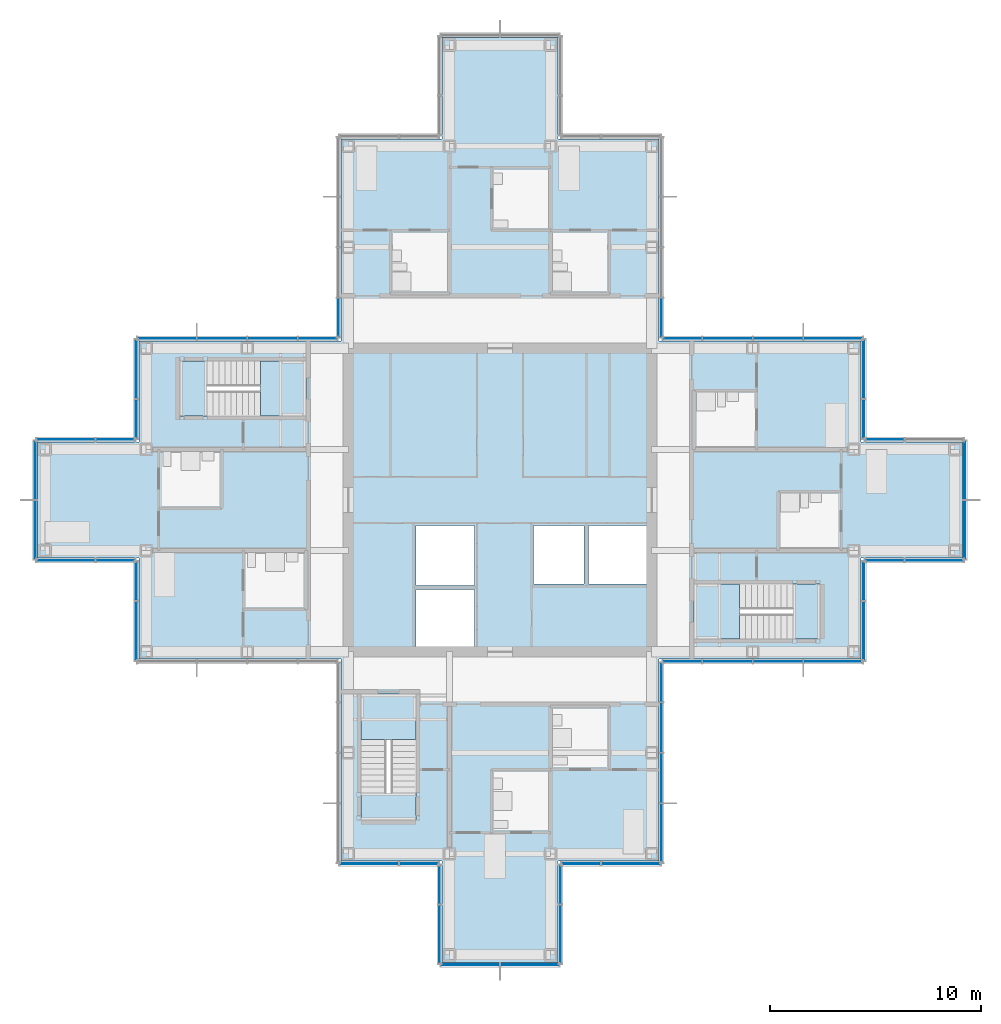
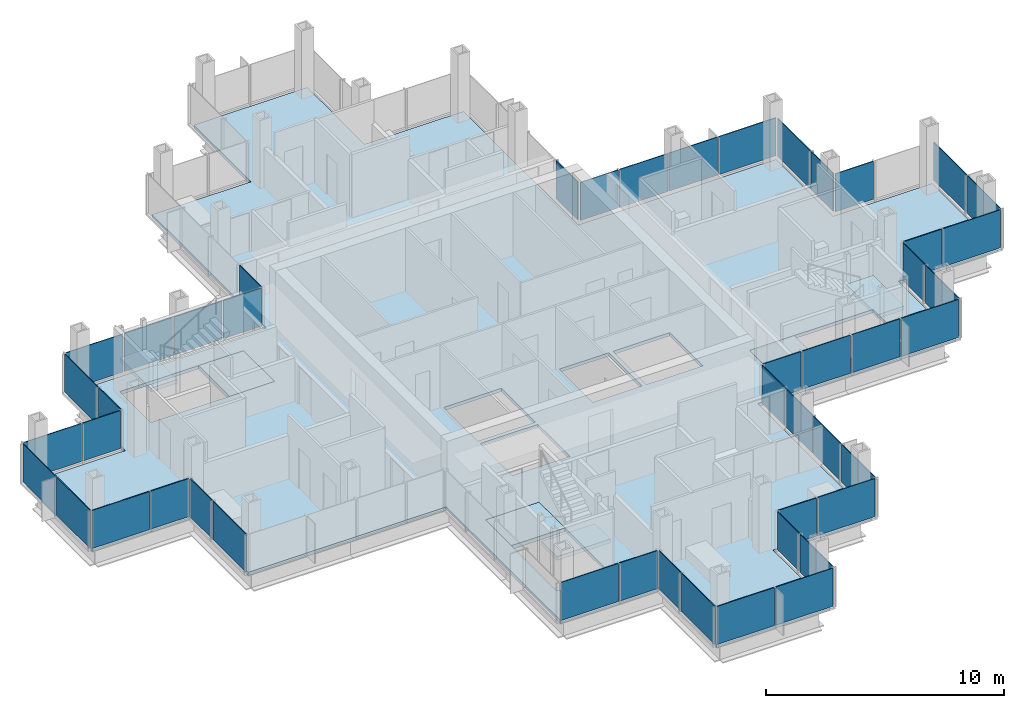
# One storey, part 10 of 17: 47 plates, 7 slabs, 24 elements without a shape of their own.
"""IFC4 building model written with IfcOpenShell, lengths in metres."""

from ifc_helpers import new_model, si_unit, direction, frame, origin, origin_2d, place, context, subcontext, project, spatial, polyline, rectangle, outline, extrude, material, layer, layer_set, type_object, element, aggregate, save


model = new_model("IFC4")

# Units and contexts
model_context = context("Model", 3, precision=1e-05, world=origin(), true_north=direction((0.0, 1.0)))
body_context = subcontext(model_context, "Body", "Model", "MODEL_VIEW")
ifc_project = project(units=[si_unit("LENGTHUNIT", "METRE"), si_unit("AREAUNIT", "SQUARE_METRE"), si_unit("VOLUMEUNIT", "CUBIC_METRE"), si_unit("PLANEANGLEUNIT", "RADIAN"), si_unit("MASSUNIT", "GRAM", prefix="KILO")], contexts=[model_context])

# Site, building, storey
site_placement = place(None, origin())
site = spatial("IfcSite", under=ifc_project, at=site_placement, CompositionType="ELEMENT")
building_placement = place(site_placement, origin())
building = spatial("IfcBuilding", under=site, at=building_placement, Name="Kvirike Care Tower", CompositionType="ELEMENT")
storey_placement = place(building_placement, frame((0.0, 0.0, 186.5)))
storey = spatial("IfcBuildingStorey", under=building, at=storey_placement, Name="L51", CompositionType="ELEMENT", Elevation=186.5)

# Slab
ifc_material_1 = material(Name="Concrete C35/45", Category="concrete")
ifc_layer_1 = layer(ifc_material_1, 0.169921875)
ifc_layer_set_1 = layer_set([ifc_layer_1], Name="FLOOR SLAB 170")
slab_type_1 = type_object("IfcSlabType", Name="FLOOR SLAB 170", PredefinedType="FLOOR", material=ifc_layer_set_1)
slab_1_placement = place(storey_placement, frame((0.0, 0.0, -0.169921875)))
element("IfcSlab", 1, at=slab_1_placement, inside=storey, type_object=slab_type_1, Name="Floor slab L51", PredefinedType="FLOOR", context=body_context, shape_type="SweptSolid", body=[
    extrude(outline(polyline([(29.14990234375, 28.449951171875), (38.75, 28.449951171875), (38.75, 33.25), (43.550048828125, 33.25), (43.550048828125, 38.75), (38.75, 38.75), (38.75, 43.550048828125), (29.14990234375, 43.550048828125), (29.14990234375, 53.14990234375), (24.35009765625, 53.14990234375), (24.35009765625, 57.949951171875), (18.85009765625, 57.949951171875), (18.85009765625, 53.14990234375), (14.050048828125, 53.14990234375), (14.050048828125, 43.550048828125), (4.449951171875, 43.550048828125), (4.449951171875, 38.75), (-0.35009765625, 38.75), (-0.35009765625, 33.25), (4.449951171875, 33.25), (4.449951171875, 28.449951171875), (14.050048828125, 28.449951171875), (14.050048828125, 18.85009765625), (18.85009765625, 18.85009765625), (18.85009765625, 14.050048828125), (24.35009765625, 14.050048828125), (24.35009765625, 18.85009765625), (29.14990234375, 18.85009765625), (29.14990234375, 28.449951171875)]), holes=[polyline([(17.60009765625, 29.050048828125), (17.60009765625, 31.75), (20.39990234375, 31.75), (20.39990234375, 29.050048828125), (17.60009765625, 29.050048828125)]), polyline([(17.60009765625, 31.949951171875), (17.60009765625, 34.800048828125), (20.39990234375, 34.800048828125), (20.39990234375, 31.949951171875), (17.60009765625, 31.949951171875)]), polyline([(23.199951171875, 32.0), (23.199951171875, 34.800048828125), (25.60009765625, 34.800048828125), (25.60009765625, 32.0), (23.199951171875, 32.0)]), polyline([(25.800048828125, 32.0), (25.800048828125, 34.800048828125), (28.550048828125, 34.800048828125), (28.550048828125, 32.0), (25.800048828125, 32.0)]), polyline([(12.39990234375, 42.60009765625), (12.39990234375, 40.0), (6.39990234375, 40.0), (6.39990234375, 42.60009765625), (12.39990234375, 42.60009765625)]), polyline([(30.800048828125, 29.39990234375), (30.800048828125, 32.0), (36.800048828125, 32.0), (36.800048828125, 29.39990234375), (30.800048828125, 29.39990234375)]), polyline([(15.0, 26.800048828125), (17.60009765625, 26.800048828125), (17.60009765625, 20.800048828125), (15.0, 20.800048828125), (15.0, 26.800048828125)])]), origin(), (0.0, 0.0, 1.0), 0.169921875),
])

# Stair, slabs
ifc_material_2 = material(Name="Concrete C35/45", Category="concrete")
stair_type = type_object("IfcStairType", Name="STAIR 20 RISERS", PredefinedType="HALF_TURN_STAIR", material=ifc_material_2)
stair_1_placement = place(storey_placement, origin())
stair_1 = element("IfcStair", 2, at=stair_1_placement, inside=storey, type_object=stair_type, Name="Stair 1 L51", PredefinedType="HALF_TURN_STAIR")
ifc_material_3 = material(Name="Concrete C35/45", Category="concrete")
ifc_layer_2 = layer(ifc_material_3, 0.199951171875)
ifc_layer_set_2 = layer_set([ifc_layer_2], Name="STAIR LANDING 200")
slab_type_2 = type_object("IfcSlabType", Name="STAIR LANDING 200", PredefinedType="LANDING", material=ifc_layer_set_2)
slab_2_placement = place(storey_placement, frame((0.0, 0.0, -0.199951171875)))
slab_2 = element("IfcSlab", 3, at=slab_2_placement, type_object=slab_type_2, Name="Stair S1 floor landing L51", PredefinedType="LANDING", context=body_context, shape_type="SweptSolid", body=[
    extrude(outline(polyline([(10.219970703125, 42.60009765625), (10.219970703125, 40.0), (12.39990234375, 40.0), (12.39990234375, 42.60009765625), (10.219970703125, 42.60009765625)])), origin(), (0.0, 0.0, 1.0), 0.199951171875),
])
slab_3_placement = place(storey_placement, frame((0.0, 0.0, 1.550048828125)))
slab_3 = element("IfcSlab", 4, at=slab_3_placement, type_object=slab_type_2, Name="Stair S1 half landing L51-L52", PredefinedType="LANDING", context=body_context, shape_type="SweptSolid", body=[
    extrude(outline(polyline([(6.39990234375, 42.60009765625), (6.39990234375, 40.0), (7.699951171875, 40.0), (7.699951171875, 42.60009765625), (6.39990234375, 42.60009765625)])), origin(), (0.0, 0.0, 1.0), 0.199951171875),
])
aggregate(stair_1, [slab_2, slab_3])

stair_2_placement = place(storey_placement, origin())
stair_2 = element("IfcStair", 5, at=stair_2_placement, inside=storey, type_object=stair_type, Name="Stair 2 L51", PredefinedType="HALF_TURN_STAIR")
slab_4_placement = place(storey_placement, frame((0.0, 0.0, -0.199951171875)))
slab_4 = element("IfcSlab", 6, at=slab_4_placement, type_object=slab_type_2, Name="Stair S2 floor landing L51", PredefinedType="LANDING", context=body_context, shape_type="SweptSolid", body=[
    extrude(outline(polyline([(32.97998046875, 29.39990234375), (32.97998046875, 32.0), (30.800048828125, 32.0), (30.800048828125, 29.39990234375), (32.97998046875, 29.39990234375)])), origin(), (0.0, 0.0, 1.0), 0.199951171875),
])
slab_5_placement = place(storey_placement, frame((0.0, 0.0, 1.550048828125)))
slab_5 = element("IfcSlab", 7, at=slab_5_placement, type_object=slab_type_2, Name="Stair S2 half landing L51-L52", PredefinedType="LANDING", context=body_context, shape_type="SweptSolid", body=[
    extrude(outline(polyline([(36.800048828125, 29.39990234375), (36.800048828125, 32.0), (35.5, 32.0), (35.5, 29.39990234375), (36.800048828125, 29.39990234375)])), origin(), (0.0, 0.0, 1.0), 0.199951171875),
])
aggregate(stair_2, [slab_4, slab_5])

stair_3_placement = place(storey_placement, origin())
stair_3 = element("IfcStair", 8, at=stair_3_placement, inside=storey, type_object=stair_type, Name="Stair 5 L51", PredefinedType="HALF_TURN_STAIR")
slab_6_placement = place(storey_placement, frame((0.0, 0.0, -0.199951171875)))
slab_6 = element("IfcSlab", 9, at=slab_6_placement, type_object=slab_type_2, Name="Stair S5 floor landing L51", PredefinedType="LANDING", context=body_context, shape_type="SweptSolid", body=[
    extrude(outline(polyline([(15.0, 24.6201171875), (17.60009765625, 24.6201171875), (17.60009765625, 26.800048828125), (15.0, 26.800048828125), (15.0, 24.6201171875)])), origin(), (0.0, 0.0, 1.0), 0.199951171875),
])
slab_7_placement = place(storey_placement, frame((0.0, 0.0, 1.550048828125)))
slab_7 = element("IfcSlab", 10, at=slab_7_placement, type_object=slab_type_2, Name="Stair S5 half landing L51-L52", PredefinedType="LANDING", context=body_context, shape_type="SweptSolid", body=[
    extrude(outline(polyline([(15.0, 20.800048828125), (17.60009765625, 20.800048828125), (17.60009765625, 22.10009765625), (15.0, 22.10009765625), (15.0, 20.800048828125)])), origin(), (0.0, 0.0, 1.0), 0.199951171875),
])
aggregate(stair_3, [slab_6, slab_7])

# Curtain wall, plates
ifc_material_4 = material(Name="Anodised aluminium stick system", Category="aluminium")
curtain_wall_type = type_object("IfcCurtainWallType", Name="CW-C STICK CURTAIN WALL", PredefinedType="NOTDEFINED", material=ifc_material_4)
curtain_wall_1_placement = place(storey_placement, origin())
curtain_wall_1 = element("IfcCurtainWall", 11, at=curtain_wall_1_placement, inside=storey, type_object=curtain_wall_type, Name="Curtain wall L51 face 1", PredefinedType="NOTDEFINED")
ifc_material_5 = material(Name="Tinted double glazed unit", Category="glass")
ifc_layer_3 = layer(ifc_material_5, 0.0400390625)
ifc_layer_set_3 = layer_set([ifc_layer_3], Name="TINTED VISION PANEL 40")
plate_type = type_object("IfcPlateType", Name="TINTED VISION PANEL 40", PredefinedType="CURTAIN_PANEL", material=ifc_layer_set_3)
plate_1_placement = place(storey_placement, frame((30.251220703125, 28.330078125, 0.10009765625), z_axis=(0.0, 0.0, 1.0), x_axis=(1.0, 0.0, 0.0)))
plate_1 = element("IfcPlate", 12, at=plate_1_placement, type_object=plate_type, Name="CW-C panel L51 face 1.1", PredefinedType="CURTAIN_PANEL", context=body_context, shape_type="SweptSolid", body=[
    extrude(rectangle(XDim=1.83251953125, YDim=0.0400390625, at=origin_2d()), origin(), (0.0, 0.0, 1.0), 1.949951171875),
])
plate_2_placement = place(storey_placement, frame((32.39990234375, 28.330078125, 0.10009765625), z_axis=(0.0, 0.0, 1.0), x_axis=(1.0, 0.0, 0.0)))
plate_2 = element("IfcPlate", 13, at=plate_2_placement, type_object=plate_type, Name="CW-C panel L51 face 1.2", PredefinedType="CURTAIN_PANEL", context=body_context, shape_type="SweptSolid", body=[
    extrude(rectangle(XDim=2.3349609375, YDim=0.0400390625, at=origin_2d()), origin(), (0.0, 0.0, 1.0), 1.949951171875),
])
plate_3_placement = place(storey_placement, frame((34.800048828125, 28.330078125, 0.10009765625), z_axis=(0.0, 0.0, 1.0), x_axis=(1.0, 0.0, 0.0)))
plate_3 = element("IfcPlate", 14, at=plate_3_placement, type_object=plate_type, Name="CW-C panel L51 face 1.3", PredefinedType="CURTAIN_PANEL", context=body_context, shape_type="SweptSolid", body=[
    extrude(rectangle(XDim=2.3349609375, YDim=0.0400390625, at=origin_2d()), origin(), (0.0, 0.0, 1.0), 1.949951171875),
])
plate_4_placement = place(storey_placement, frame((37.418701171875, 28.330078125, 0.10009765625), z_axis=(0.0, 0.0, 1.0), x_axis=(1.0, 0.0, 0.0)))
plate_4 = element("IfcPlate", 15, at=plate_4_placement, type_object=plate_type, Name="CW-C panel L51 face 1.4", PredefinedType="CURTAIN_PANEL", context=body_context, shape_type="SweptSolid", body=[
    extrude(rectangle(XDim=2.7724609375, YDim=0.0400390625, at=origin_2d()), origin(), (0.0, 0.0, 1.0), 1.949951171875),
])
aggregate(curtain_wall_1, [plate_1, plate_2, plate_3, plate_4])

curtain_wall_2_placement = place(storey_placement, origin())
curtain_wall_2 = element("IfcCurtainWall", 16, at=curtain_wall_2_placement, inside=storey, type_object=curtain_wall_type, Name="Curtain wall L51 face 2", PredefinedType="NOTDEFINED")
plate_5_placement = place(storey_placement, frame((38.8701171875, 29.78125, 0.10009765625), z_axis=(0.0, 0.0, 1.0), x_axis=(0.0, 1.0, 0.0)))
plate_5 = element("IfcPlate", 17, at=plate_5_placement, type_object=plate_type, Name="CW-C panel L51 face 2.1", PredefinedType="CURTAIN_PANEL", context=body_context, shape_type="SweptSolid", body=[
    extrude(rectangle(XDim=2.7724609375, YDim=0.0400390625, at=origin_2d()), origin(), (0.0, 0.0, 1.0), 1.949951171875),
])
plate_6_placement = place(storey_placement, frame((38.8701171875, 32.148681640625, 0.10009765625), z_axis=(0.0, 0.0, 1.0), x_axis=(0.0, 1.0, 0.0)))
plate_6 = element("IfcPlate", 18, at=plate_6_placement, type_object=plate_type, Name="CW-C panel L51 face 2.2", PredefinedType="CURTAIN_PANEL", context=body_context, shape_type="SweptSolid", body=[
    extrude(rectangle(XDim=1.83251953125, YDim=0.0400390625, at=origin_2d()), origin(), (0.0, 0.0, 1.0), 1.949951171875),
])
aggregate(curtain_wall_2, [plate_5, plate_6])

curtain_wall_3_placement = place(storey_placement, origin())
curtain_wall_3 = element("IfcCurtainWall", 19, at=curtain_wall_3_placement, inside=storey, type_object=curtain_wall_type, Name="Curtain wall L51 face 3", PredefinedType="NOTDEFINED")
plate_7_placement = place(storey_placement, frame((39.851318359375, 33.1298828125, 0.10009765625), z_axis=(0.0, 0.0, 1.0), x_axis=(1.0, 0.0, 0.0)))
plate_7 = element("IfcPlate", 20, at=plate_7_placement, type_object=plate_type, Name="CW-C panel L51 face 3.1", PredefinedType="CURTAIN_PANEL", context=body_context, shape_type="SweptSolid", body=[
    extrude(rectangle(XDim=1.83251953125, YDim=0.0400390625, at=origin_2d()), origin(), (0.0, 0.0, 1.0), 1.949951171875),
])
plate_8_placement = place(storey_placement, frame((42.21875, 33.1298828125, 0.10009765625), z_axis=(0.0, 0.0, 1.0), x_axis=(1.0, 0.0, 0.0)))
plate_8 = element("IfcPlate", 21, at=plate_8_placement, type_object=plate_type, Name="CW-C panel L51 face 3.2", PredefinedType="CURTAIN_PANEL", context=body_context, shape_type="SweptSolid", body=[
    extrude(rectangle(XDim=2.7724609375, YDim=0.0400390625, at=origin_2d()), origin(), (0.0, 0.0, 1.0), 1.949951171875),
])
aggregate(curtain_wall_3, [plate_7, plate_8])

curtain_wall_4_placement = place(storey_placement, origin())
curtain_wall_4 = element("IfcCurtainWall", 22, at=curtain_wall_4_placement, inside=storey, type_object=curtain_wall_type, Name="Curtain wall L51 face 4", PredefinedType="NOTDEFINED")
plate_9_placement = place(storey_placement, frame((43.669921875, 34.581298828125, 0.10009765625), z_axis=(0.0, 0.0, 1.0), x_axis=(0.0, 1.0, 0.0)))
plate_9 = element("IfcPlate", 23, at=plate_9_placement, type_object=plate_type, Name="CW-C panel L51 face 4.1", PredefinedType="CURTAIN_PANEL", context=body_context, shape_type="SweptSolid", body=[
    extrude(rectangle(XDim=2.7724609375, YDim=0.0400390625, at=origin_2d()), origin(), (0.0, 0.0, 1.0), 1.949951171875),
])
plate_10_placement = place(storey_placement, frame((43.669921875, 37.418701171875, 0.10009765625), z_axis=(0.0, 0.0, 1.0), x_axis=(0.0, 1.0, 0.0)))
plate_10 = element("IfcPlate", 24, at=plate_10_placement, type_object=plate_type, Name="CW-C panel L51 face 4.2", PredefinedType="CURTAIN_PANEL", context=body_context, shape_type="SweptSolid", body=[
    extrude(rectangle(XDim=2.7724609375, YDim=0.0400390625, at=origin_2d()), origin(), (0.0, 0.0, 1.0), 1.949951171875),
])
aggregate(curtain_wall_4, [plate_9, plate_10])

# Curtain wall, plate
curtain_wall_5_placement = place(storey_placement, origin())
curtain_wall_5 = element("IfcCurtainWall", 25, at=curtain_wall_5_placement, inside=storey, type_object=curtain_wall_type, Name="Curtain wall L51 face 5", PredefinedType="NOTDEFINED")
plate_11_placement = place(storey_placement, frame((39.851318359375, 38.8701171875, 0.10009765625), z_axis=(0.0, 0.0, 1.0), x_axis=(-1.0, 0.0, 0.0)))
plate_11 = element("IfcPlate", 26, at=plate_11_placement, type_object=plate_type, Name="CW-C panel L51 face 5.2", PredefinedType="CURTAIN_PANEL", context=body_context, shape_type="SweptSolid", body=[
    extrude(rectangle(XDim=1.83251953125, YDim=0.0400390625, at=origin_2d()), origin(), (0.0, 0.0, 1.0), 1.949951171875),
])
aggregate(curtain_wall_5, [plate_11])

# Curtain wall, plates
curtain_wall_6_placement = place(storey_placement, origin())
curtain_wall_6 = element("IfcCurtainWall", 27, at=curtain_wall_6_placement, inside=storey, type_object=curtain_wall_type, Name="Curtain wall L51 face 6", PredefinedType="NOTDEFINED")
plate_12_placement = place(storey_placement, frame((38.8701171875, 39.851318359375, 0.10009765625), z_axis=(0.0, 0.0, 1.0), x_axis=(0.0, 1.0, 0.0)))
plate_12 = element("IfcPlate", 28, at=plate_12_placement, type_object=plate_type, Name="CW-C panel L51 face 6.1", PredefinedType="CURTAIN_PANEL", context=body_context, shape_type="SweptSolid", body=[
    extrude(rectangle(XDim=1.83251953125, YDim=0.0400390625, at=origin_2d()), origin(), (0.0, 0.0, 1.0), 1.949951171875),
])
plate_13_placement = place(storey_placement, frame((38.8701171875, 42.21875, 0.10009765625), z_axis=(0.0, 0.0, 1.0), x_axis=(0.0, 1.0, 0.0)))
plate_13 = element("IfcPlate", 29, at=plate_13_placement, type_object=plate_type, Name="CW-C panel L51 face 6.2", PredefinedType="CURTAIN_PANEL", context=body_context, shape_type="SweptSolid", body=[
    extrude(rectangle(XDim=2.7724609375, YDim=0.0400390625, at=origin_2d()), origin(), (0.0, 0.0, 1.0), 1.949951171875),
])
aggregate(curtain_wall_6, [plate_12, plate_13])

curtain_wall_7_placement = place(storey_placement, origin())
curtain_wall_7 = element("IfcCurtainWall", 30, at=curtain_wall_7_placement, inside=storey, type_object=curtain_wall_type, Name="Curtain wall L51 face 7", PredefinedType="NOTDEFINED")
plate_14_placement = place(storey_placement, frame((37.418701171875, 43.669921875, 0.10009765625), z_axis=(0.0, 0.0, 1.0), x_axis=(-1.0, 0.0, 0.0)))
plate_14 = element("IfcPlate", 31, at=plate_14_placement, type_object=plate_type, Name="CW-C panel L51 face 7.1", PredefinedType="CURTAIN_PANEL", context=body_context, shape_type="SweptSolid", body=[
    extrude(rectangle(XDim=2.7724609375, YDim=0.0400390625, at=origin_2d()), origin(), (0.0, 0.0, 1.0), 1.949951171875),
])
plate_15_placement = place(storey_placement, frame((34.800048828125, 43.669921875, 0.10009765625), z_axis=(0.0, 0.0, 1.0), x_axis=(-1.0, 0.0, 0.0)))
plate_15 = element("IfcPlate", 32, at=plate_15_placement, type_object=plate_type, Name="CW-C panel L51 face 7.2", PredefinedType="CURTAIN_PANEL", context=body_context, shape_type="SweptSolid", body=[
    extrude(rectangle(XDim=2.3349609375, YDim=0.0400390625, at=origin_2d()), origin(), (0.0, 0.0, 1.0), 1.949951171875),
])
plate_16_placement = place(storey_placement, frame((32.39990234375, 43.669921875, 0.10009765625), z_axis=(0.0, 0.0, 1.0), x_axis=(-1.0, 0.0, 0.0)))
plate_16 = element("IfcPlate", 33, at=plate_16_placement, type_object=plate_type, Name="CW-C panel L51 face 7.3", PredefinedType="CURTAIN_PANEL", context=body_context, shape_type="SweptSolid", body=[
    extrude(rectangle(XDim=2.3349609375, YDim=0.0400390625, at=origin_2d()), origin(), (0.0, 0.0, 1.0), 1.949951171875),
])
plate_17_placement = place(storey_placement, frame((30.251220703125, 43.669921875, 0.10009765625), z_axis=(0.0, 0.0, 1.0), x_axis=(-1.0, 0.0, 0.0)))
plate_17 = element("IfcPlate", 34, at=plate_17_placement, type_object=plate_type, Name="CW-C panel L51 face 7.4", PredefinedType="CURTAIN_PANEL", context=body_context, shape_type="SweptSolid", body=[
    extrude(rectangle(XDim=1.83251953125, YDim=0.0400390625, at=origin_2d()), origin(), (0.0, 0.0, 1.0), 1.949951171875),
])
aggregate(curtain_wall_7, [plate_14, plate_15, plate_16, plate_17])

# Curtain wall, plate
curtain_wall_8_placement = place(storey_placement, origin())
curtain_wall_8 = element("IfcCurtainWall", 35, at=curtain_wall_8_placement, inside=storey, type_object=curtain_wall_type, Name="Curtain wall L51 face 8", PredefinedType="NOTDEFINED")
plate_18_placement = place(storey_placement, frame((29.27001953125, 44.6513671875, 0.10009765625), z_axis=(0.0, 0.0, 1.0), x_axis=(0.0, 1.0, 0.0)))
plate_18 = element("IfcPlate", 36, at=plate_18_placement, type_object=plate_type, Name="CW-C panel L51 face 8.1", PredefinedType="CURTAIN_PANEL", context=body_context, shape_type="SweptSolid", body=[
    extrude(rectangle(XDim=1.83251953125, YDim=0.0400390625, at=origin_2d()), origin(), (0.0, 0.0, 1.0), 1.949951171875),
])
aggregate(curtain_wall_8, [plate_18])

curtain_wall_9_placement = place(storey_placement, origin())
curtain_wall_9 = element("IfcCurtainWall", 37, at=curtain_wall_9_placement, inside=storey, type_object=curtain_wall_type, Name="Curtain wall L51 face 14", PredefinedType="NOTDEFINED")
plate_19_placement = place(storey_placement, frame((13.929931640625, 44.6513671875, 0.10009765625), z_axis=(0.0, 0.0, 1.0), x_axis=(0.0, -1.0, 0.0)))
plate_19 = element("IfcPlate", 38, at=plate_19_placement, type_object=plate_type, Name="CW-C panel L51 face 14.4", PredefinedType="CURTAIN_PANEL", context=body_context, shape_type="SweptSolid", body=[
    extrude(rectangle(XDim=1.83251953125, YDim=0.0400390625, at=origin_2d()), origin(), (0.0, 0.0, 1.0), 1.949951171875),
])
aggregate(curtain_wall_9, [plate_19])

# Curtain wall, plates
curtain_wall_10_placement = place(storey_placement, origin())
curtain_wall_10 = element("IfcCurtainWall", 39, at=curtain_wall_10_placement, inside=storey, type_object=curtain_wall_type, Name="Curtain wall L51 face 15", PredefinedType="NOTDEFINED")
plate_20_placement = place(storey_placement, frame((12.94873046875, 43.669921875, 0.10009765625), z_axis=(0.0, 0.0, 1.0), x_axis=(-1.0, 0.0, 0.0)))
plate_20 = element("IfcPlate", 40, at=plate_20_placement, type_object=plate_type, Name="CW-C panel L51 face 15.1", PredefinedType="CURTAIN_PANEL", context=body_context, shape_type="SweptSolid", body=[
    extrude(rectangle(XDim=1.83251953125, YDim=0.0400390625, at=origin_2d()), origin(), (0.0, 0.0, 1.0), 1.949951171875),
])
plate_21_placement = place(storey_placement, frame((10.800048828125, 43.669921875, 0.10009765625), z_axis=(0.0, 0.0, 1.0), x_axis=(-1.0, 0.0, 0.0)))
plate_21 = element("IfcPlate", 41, at=plate_21_placement, type_object=plate_type, Name="CW-C panel L51 face 15.2", PredefinedType="CURTAIN_PANEL", context=body_context, shape_type="SweptSolid", body=[
    extrude(rectangle(XDim=2.3349609375, YDim=0.0400390625, at=origin_2d()), origin(), (0.0, 0.0, 1.0), 1.949951171875),
])
plate_22_placement = place(storey_placement, frame((8.39990234375, 43.669921875, 0.10009765625), z_axis=(0.0, 0.0, 1.0), x_axis=(-1.0, 0.0, 0.0)))
plate_22 = element("IfcPlate", 42, at=plate_22_placement, type_object=plate_type, Name="CW-C panel L51 face 15.3", PredefinedType="CURTAIN_PANEL", context=body_context, shape_type="SweptSolid", body=[
    extrude(rectangle(XDim=2.3349609375, YDim=0.0400390625, at=origin_2d()), origin(), (0.0, 0.0, 1.0), 1.949951171875),
])
plate_23_placement = place(storey_placement, frame((5.78125, 43.669921875, 0.10009765625), z_axis=(0.0, 0.0, 1.0), x_axis=(-1.0, 0.0, 0.0)))
plate_23 = element("IfcPlate", 43, at=plate_23_placement, type_object=plate_type, Name="CW-C panel L51 face 15.4", PredefinedType="CURTAIN_PANEL", context=body_context, shape_type="SweptSolid", body=[
    extrude(rectangle(XDim=2.7724609375, YDim=0.0400390625, at=origin_2d()), origin(), (0.0, 0.0, 1.0), 1.949951171875),
])
aggregate(curtain_wall_10, [plate_20, plate_21, plate_22, plate_23])

curtain_wall_11_placement = place(storey_placement, origin())
curtain_wall_11 = element("IfcCurtainWall", 44, at=curtain_wall_11_placement, inside=storey, type_object=curtain_wall_type, Name="Curtain wall L51 face 16", PredefinedType="NOTDEFINED")
plate_24_placement = place(storey_placement, frame((4.330078125, 42.21875, 0.10009765625), z_axis=(0.0, 0.0, 1.0), x_axis=(0.0, -1.0, 0.0)))
plate_24 = element("IfcPlate", 45, at=plate_24_placement, type_object=plate_type, Name="CW-C panel L51 face 16.1", PredefinedType="CURTAIN_PANEL", context=body_context, shape_type="SweptSolid", body=[
    extrude(rectangle(XDim=2.7724609375, YDim=0.0400390625, at=origin_2d()), origin(), (0.0, 0.0, 1.0), 1.949951171875),
])
plate_25_placement = place(storey_placement, frame((4.330078125, 39.851318359375, 0.10009765625), z_axis=(0.0, 0.0, 1.0), x_axis=(0.0, -1.0, 0.0)))
plate_25 = element("IfcPlate", 46, at=plate_25_placement, type_object=plate_type, Name="CW-C panel L51 face 16.2", PredefinedType="CURTAIN_PANEL", context=body_context, shape_type="SweptSolid", body=[
    extrude(rectangle(XDim=1.83251953125, YDim=0.0400390625, at=origin_2d()), origin(), (0.0, 0.0, 1.0), 1.949951171875),
])
aggregate(curtain_wall_11, [plate_24, plate_25])

curtain_wall_12_placement = place(storey_placement, origin())
curtain_wall_12 = element("IfcCurtainWall", 47, at=curtain_wall_12_placement, inside=storey, type_object=curtain_wall_type, Name="Curtain wall L51 face 17", PredefinedType="NOTDEFINED")
plate_26_placement = place(storey_placement, frame((3.3486328125, 38.8701171875, 0.10009765625), z_axis=(0.0, 0.0, 1.0), x_axis=(-1.0, 0.0, 0.0)))
plate_26 = element("IfcPlate", 48, at=plate_26_placement, type_object=plate_type, Name="CW-C panel L51 face 17.1", PredefinedType="CURTAIN_PANEL", context=body_context, shape_type="SweptSolid", body=[
    extrude(rectangle(XDim=1.83251953125, YDim=0.0400390625, at=origin_2d()), origin(), (0.0, 0.0, 1.0), 1.949951171875),
])
plate_27_placement = place(storey_placement, frame((0.981201171875, 38.8701171875, 0.10009765625), z_axis=(0.0, 0.0, 1.0), x_axis=(-1.0, 0.0, 0.0)))
plate_27 = element("IfcPlate", 49, at=plate_27_placement, type_object=plate_type, Name="CW-C panel L51 face 17.2", PredefinedType="CURTAIN_PANEL", context=body_context, shape_type="SweptSolid", body=[
    extrude(rectangle(XDim=2.7724609375, YDim=0.0400390625, at=origin_2d()), origin(), (0.0, 0.0, 1.0), 1.949951171875),
])
aggregate(curtain_wall_12, [plate_26, plate_27])

curtain_wall_13_placement = place(storey_placement, origin())
curtain_wall_13 = element("IfcCurtainWall", 50, at=curtain_wall_13_placement, inside=storey, type_object=curtain_wall_type, Name="Curtain wall L51 face 18", PredefinedType="NOTDEFINED")
plate_28_placement = place(storey_placement, frame((-0.469970703125, 37.418701171875, 0.10009765625), z_axis=(0.0, 0.0, 1.0), x_axis=(0.0, -1.0, 0.0)))
plate_28 = element("IfcPlate", 51, at=plate_28_placement, type_object=plate_type, Name="CW-C panel L51 face 18.1", PredefinedType="CURTAIN_PANEL", context=body_context, shape_type="SweptSolid", body=[
    extrude(rectangle(XDim=2.7724609375, YDim=0.0400390625, at=origin_2d()), origin(), (0.0, 0.0, 1.0), 1.949951171875),
])
plate_29_placement = place(storey_placement, frame((-0.469970703125, 34.581298828125, 0.10009765625), z_axis=(0.0, 0.0, 1.0), x_axis=(0.0, -1.0, 0.0)))
plate_29 = element("IfcPlate", 52, at=plate_29_placement, type_object=plate_type, Name="CW-C panel L51 face 18.2", PredefinedType="CURTAIN_PANEL", context=body_context, shape_type="SweptSolid", body=[
    extrude(rectangle(XDim=2.7724609375, YDim=0.0400390625, at=origin_2d()), origin(), (0.0, 0.0, 1.0), 1.949951171875),
])
aggregate(curtain_wall_13, [plate_28, plate_29])

curtain_wall_14_placement = place(storey_placement, origin())
curtain_wall_14 = element("IfcCurtainWall", 53, at=curtain_wall_14_placement, inside=storey, type_object=curtain_wall_type, Name="Curtain wall L51 face 19", PredefinedType="NOTDEFINED")
plate_30_placement = place(storey_placement, frame((0.981201171875, 33.1298828125, 0.10009765625), z_axis=(0.0, 0.0, 1.0), x_axis=(1.0, 0.0, 0.0)))
plate_30 = element("IfcPlate", 54, at=plate_30_placement, type_object=plate_type, Name="CW-C panel L51 face 19.1", PredefinedType="CURTAIN_PANEL", context=body_context, shape_type="SweptSolid", body=[
    extrude(rectangle(XDim=2.7724609375, YDim=0.0400390625, at=origin_2d()), origin(), (0.0, 0.0, 1.0), 1.949951171875),
])
plate_31_placement = place(storey_placement, frame((3.3486328125, 33.1298828125, 0.10009765625), z_axis=(0.0, 0.0, 1.0), x_axis=(1.0, 0.0, 0.0)))
plate_31 = element("IfcPlate", 55, at=plate_31_placement, type_object=plate_type, Name="CW-C panel L51 face 19.2", PredefinedType="CURTAIN_PANEL", context=body_context, shape_type="SweptSolid", body=[
    extrude(rectangle(XDim=1.83251953125, YDim=0.0400390625, at=origin_2d()), origin(), (0.0, 0.0, 1.0), 1.949951171875),
])
aggregate(curtain_wall_14, [plate_30, plate_31])

curtain_wall_15_placement = place(storey_placement, origin())
curtain_wall_15 = element("IfcCurtainWall", 56, at=curtain_wall_15_placement, inside=storey, type_object=curtain_wall_type, Name="Curtain wall L51 face 20", PredefinedType="NOTDEFINED")
plate_32_placement = place(storey_placement, frame((4.330078125, 32.148681640625, 0.10009765625), z_axis=(0.0, 0.0, 1.0), x_axis=(0.0, -1.0, 0.0)))
plate_32 = element("IfcPlate", 57, at=plate_32_placement, type_object=plate_type, Name="CW-C panel L51 face 20.1", PredefinedType="CURTAIN_PANEL", context=body_context, shape_type="SweptSolid", body=[
    extrude(rectangle(XDim=1.83251953125, YDim=0.0400390625, at=origin_2d()), origin(), (0.0, 0.0, 1.0), 1.949951171875),
])
plate_33_placement = place(storey_placement, frame((4.330078125, 29.78125, 0.10009765625), z_axis=(0.0, 0.0, 1.0), x_axis=(0.0, -1.0, 0.0)))
plate_33 = element("IfcPlate", 58, at=plate_33_placement, type_object=plate_type, Name="CW-C panel L51 face 20.2", PredefinedType="CURTAIN_PANEL", context=body_context, shape_type="SweptSolid", body=[
    extrude(rectangle(XDim=2.7724609375, YDim=0.0400390625, at=origin_2d()), origin(), (0.0, 0.0, 1.0), 1.949951171875),
])
aggregate(curtain_wall_15, [plate_32, plate_33])

curtain_wall_16_placement = place(storey_placement, origin())
curtain_wall_16 = element("IfcCurtainWall", 59, at=curtain_wall_16_placement, inside=storey, type_object=curtain_wall_type, Name="Curtain wall L51 face 23", PredefinedType="NOTDEFINED")
plate_34_placement = place(storey_placement, frame((15.38134765625, 18.72998046875, 0.10009765625), z_axis=(0.0, 0.0, 1.0), x_axis=(1.0, 0.0, 0.0)))
plate_34 = element("IfcPlate", 60, at=plate_34_placement, type_object=plate_type, Name="CW-C panel L51 face 23.1", PredefinedType="CURTAIN_PANEL", context=body_context, shape_type="SweptSolid", body=[
    extrude(rectangle(XDim=2.7724609375, YDim=0.0400390625, at=origin_2d()), origin(), (0.0, 0.0, 1.0), 1.949951171875),
])
plate_35_placement = place(storey_placement, frame((17.748779296875, 18.72998046875, 0.10009765625), z_axis=(0.0, 0.0, 1.0), x_axis=(1.0, 0.0, 0.0)))
plate_35 = element("IfcPlate", 61, at=plate_35_placement, type_object=plate_type, Name="CW-C panel L51 face 23.2", PredefinedType="CURTAIN_PANEL", context=body_context, shape_type="SweptSolid", body=[
    extrude(rectangle(XDim=1.83251953125, YDim=0.0400390625, at=origin_2d()), origin(), (0.0, 0.0, 1.0), 1.949951171875),
])
aggregate(curtain_wall_16, [plate_34, plate_35])

curtain_wall_17_placement = place(storey_placement, origin())
curtain_wall_17 = element("IfcCurtainWall", 62, at=curtain_wall_17_placement, inside=storey, type_object=curtain_wall_type, Name="Curtain wall L51 face 24", PredefinedType="NOTDEFINED")
plate_36_placement = place(storey_placement, frame((18.72998046875, 17.748779296875, 0.10009765625), z_axis=(0.0, 0.0, 1.0), x_axis=(0.0, -1.0, 0.0)))
plate_36 = element("IfcPlate", 63, at=plate_36_placement, type_object=plate_type, Name="CW-C panel L51 face 24.1", PredefinedType="CURTAIN_PANEL", context=body_context, shape_type="SweptSolid", body=[
    extrude(rectangle(XDim=1.83251953125, YDim=0.0400390625, at=origin_2d()), origin(), (0.0, 0.0, 1.0), 1.949951171875),
])
plate_37_placement = place(storey_placement, frame((18.72998046875, 15.38134765625, 0.10009765625), z_axis=(0.0, 0.0, 1.0), x_axis=(0.0, -1.0, 0.0)))
plate_37 = element("IfcPlate", 64, at=plate_37_placement, type_object=plate_type, Name="CW-C panel L51 face 24.2", PredefinedType="CURTAIN_PANEL", context=body_context, shape_type="SweptSolid", body=[
    extrude(rectangle(XDim=2.7724609375, YDim=0.0400390625, at=origin_2d()), origin(), (0.0, 0.0, 1.0), 1.949951171875),
])
aggregate(curtain_wall_17, [plate_36, plate_37])

curtain_wall_18_placement = place(storey_placement, origin())
curtain_wall_18 = element("IfcCurtainWall", 65, at=curtain_wall_18_placement, inside=storey, type_object=curtain_wall_type, Name="Curtain wall L51 face 25", PredefinedType="NOTDEFINED")
plate_38_placement = place(storey_placement, frame((20.18115234375, 13.929931640625, 0.10009765625), z_axis=(0.0, 0.0, 1.0), x_axis=(1.0, 0.0, 0.0)))
plate_38 = element("IfcPlate", 66, at=plate_38_placement, type_object=plate_type, Name="CW-C panel L51 face 25.1", PredefinedType="CURTAIN_PANEL", context=body_context, shape_type="SweptSolid", body=[
    extrude(rectangle(XDim=2.7724609375, YDim=0.0400390625, at=origin_2d()), origin(), (0.0, 0.0, 1.0), 1.949951171875),
])
plate_39_placement = place(storey_placement, frame((23.018798828125, 13.929931640625, 0.10009765625), z_axis=(0.0, 0.0, 1.0), x_axis=(1.0, 0.0, 0.0)))
plate_39 = element("IfcPlate", 67, at=plate_39_placement, type_object=plate_type, Name="CW-C panel L51 face 25.2", PredefinedType="CURTAIN_PANEL", context=body_context, shape_type="SweptSolid", body=[
    extrude(rectangle(XDim=2.7724609375, YDim=0.0400390625, at=origin_2d()), origin(), (0.0, 0.0, 1.0), 1.949951171875),
])
aggregate(curtain_wall_18, [plate_38, plate_39])

curtain_wall_19_placement = place(storey_placement, origin())
curtain_wall_19 = element("IfcCurtainWall", 68, at=curtain_wall_19_placement, inside=storey, type_object=curtain_wall_type, Name="Curtain wall L51 face 26", PredefinedType="NOTDEFINED")
plate_40_placement = place(storey_placement, frame((24.469970703125, 15.38134765625, 0.10009765625), z_axis=(0.0, 0.0, 1.0), x_axis=(0.0, 1.0, 0.0)))
plate_40 = element("IfcPlate", 69, at=plate_40_placement, type_object=plate_type, Name="CW-C panel L51 face 26.1", PredefinedType="CURTAIN_PANEL", context=body_context, shape_type="SweptSolid", body=[
    extrude(rectangle(XDim=2.7724609375, YDim=0.0400390625, at=origin_2d()), origin(), (0.0, 0.0, 1.0), 1.949951171875),
])
plate_41_placement = place(storey_placement, frame((24.469970703125, 17.748779296875, 0.10009765625), z_axis=(0.0, 0.0, 1.0), x_axis=(0.0, 1.0, 0.0)))
plate_41 = element("IfcPlate", 70, at=plate_41_placement, type_object=plate_type, Name="CW-C panel L51 face 26.2", PredefinedType="CURTAIN_PANEL", context=body_context, shape_type="SweptSolid", body=[
    extrude(rectangle(XDim=1.83251953125, YDim=0.0400390625, at=origin_2d()), origin(), (0.0, 0.0, 1.0), 1.949951171875),
])
aggregate(curtain_wall_19, [plate_40, plate_41])

curtain_wall_20_placement = place(storey_placement, origin())
curtain_wall_20 = element("IfcCurtainWall", 71, at=curtain_wall_20_placement, inside=storey, type_object=curtain_wall_type, Name="Curtain wall L51 face 27", PredefinedType="NOTDEFINED")
plate_42_placement = place(storey_placement, frame((25.451171875, 18.72998046875, 0.10009765625), z_axis=(0.0, 0.0, 1.0), x_axis=(1.0, 0.0, 0.0)))
plate_42 = element("IfcPlate", 72, at=plate_42_placement, type_object=plate_type, Name="CW-C panel L51 face 27.1", PredefinedType="CURTAIN_PANEL", context=body_context, shape_type="SweptSolid", body=[
    extrude(rectangle(XDim=1.83251953125, YDim=0.0400390625, at=origin_2d()), origin(), (0.0, 0.0, 1.0), 1.949951171875),
])
plate_43_placement = place(storey_placement, frame((27.81884765625, 18.72998046875, 0.10009765625), z_axis=(0.0, 0.0, 1.0), x_axis=(1.0, 0.0, 0.0)))
plate_43 = element("IfcPlate", 73, at=plate_43_placement, type_object=plate_type, Name="CW-C panel L51 face 27.2", PredefinedType="CURTAIN_PANEL", context=body_context, shape_type="SweptSolid", body=[
    extrude(rectangle(XDim=2.7724609375, YDim=0.0400390625, at=origin_2d()), origin(), (0.0, 0.0, 1.0), 1.949951171875),
])
aggregate(curtain_wall_20, [plate_42, plate_43])

curtain_wall_21_placement = place(storey_placement, origin())
curtain_wall_21 = element("IfcCurtainWall", 74, at=curtain_wall_21_placement, inside=storey, type_object=curtain_wall_type, Name="Curtain wall L51 face 28", PredefinedType="NOTDEFINED")
plate_44_placement = place(storey_placement, frame((29.27001953125, 20.18115234375, 0.10009765625), z_axis=(0.0, 0.0, 1.0), x_axis=(0.0, 1.0, 0.0)))
plate_44 = element("IfcPlate", 75, at=plate_44_placement, type_object=plate_type, Name="CW-C panel L51 face 28.1", PredefinedType="CURTAIN_PANEL", context=body_context, shape_type="SweptSolid", body=[
    extrude(rectangle(XDim=2.7724609375, YDim=0.0400390625, at=origin_2d()), origin(), (0.0, 0.0, 1.0), 1.949951171875),
])
plate_45_placement = place(storey_placement, frame((29.27001953125, 22.800048828125, 0.10009765625), z_axis=(0.0, 0.0, 1.0), x_axis=(0.0, 1.0, 0.0)))
plate_45 = element("IfcPlate", 76, at=plate_45_placement, type_object=plate_type, Name="CW-C panel L51 face 28.2", PredefinedType="CURTAIN_PANEL", context=body_context, shape_type="SweptSolid", body=[
    extrude(rectangle(XDim=2.3349609375, YDim=0.0400390625, at=origin_2d()), origin(), (0.0, 0.0, 1.0), 1.949951171875),
])
plate_46_placement = place(storey_placement, frame((29.27001953125, 25.199951171875, 0.10009765625), z_axis=(0.0, 0.0, 1.0), x_axis=(0.0, 1.0, 0.0)))
plate_46 = element("IfcPlate", 77, at=plate_46_placement, type_object=plate_type, Name="CW-C panel L51 face 28.3", PredefinedType="CURTAIN_PANEL", context=body_context, shape_type="SweptSolid", body=[
    extrude(rectangle(XDim=2.3349609375, YDim=0.0400390625, at=origin_2d()), origin(), (0.0, 0.0, 1.0), 1.949951171875),
])
plate_47_placement = place(storey_placement, frame((29.27001953125, 27.3486328125, 0.10009765625), z_axis=(0.0, 0.0, 1.0), x_axis=(0.0, 1.0, 0.0)))
plate_47 = element("IfcPlate", 78, at=plate_47_placement, type_object=plate_type, Name="CW-C panel L51 face 28.4", PredefinedType="CURTAIN_PANEL", context=body_context, shape_type="SweptSolid", body=[
    extrude(rectangle(XDim=1.83251953125, YDim=0.0400390625, at=origin_2d()), origin(), (0.0, 0.0, 1.0), 1.949951171875),
])
aggregate(curtain_wall_21, [plate_44, plate_45, plate_46, plate_47])

save(model, "model.ifc")
